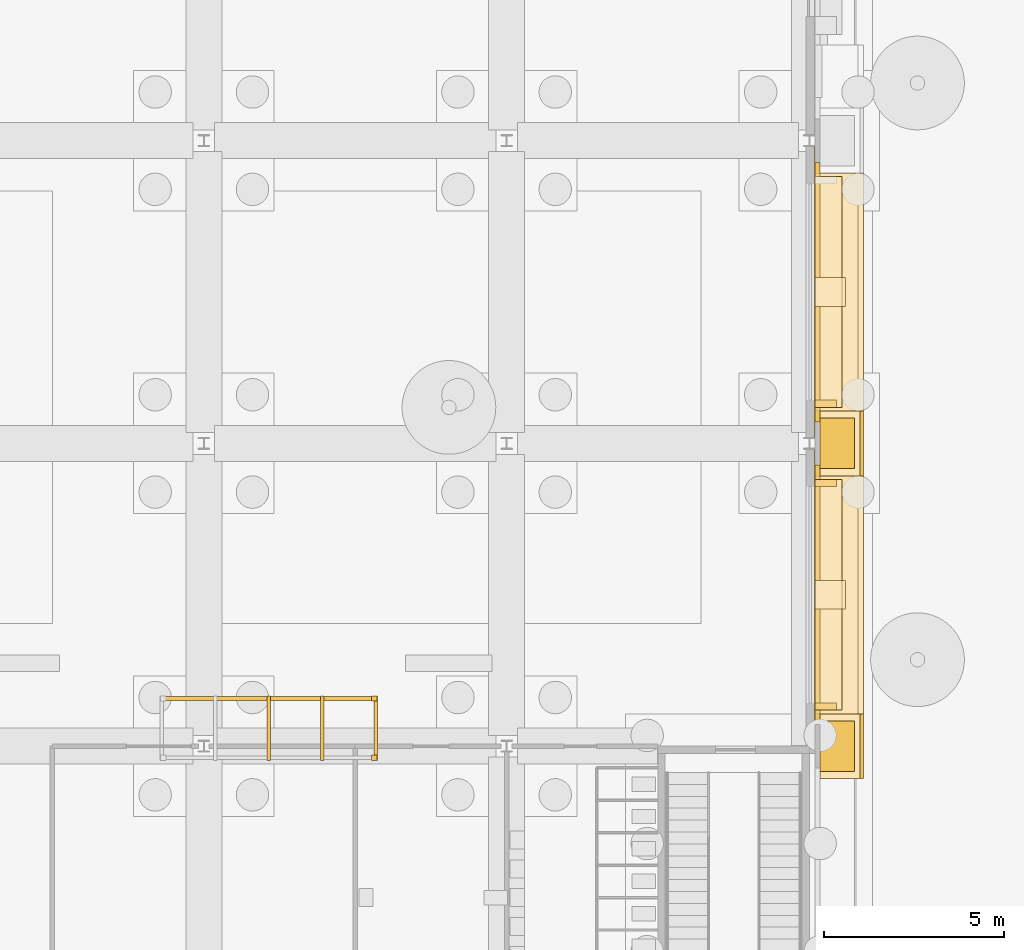
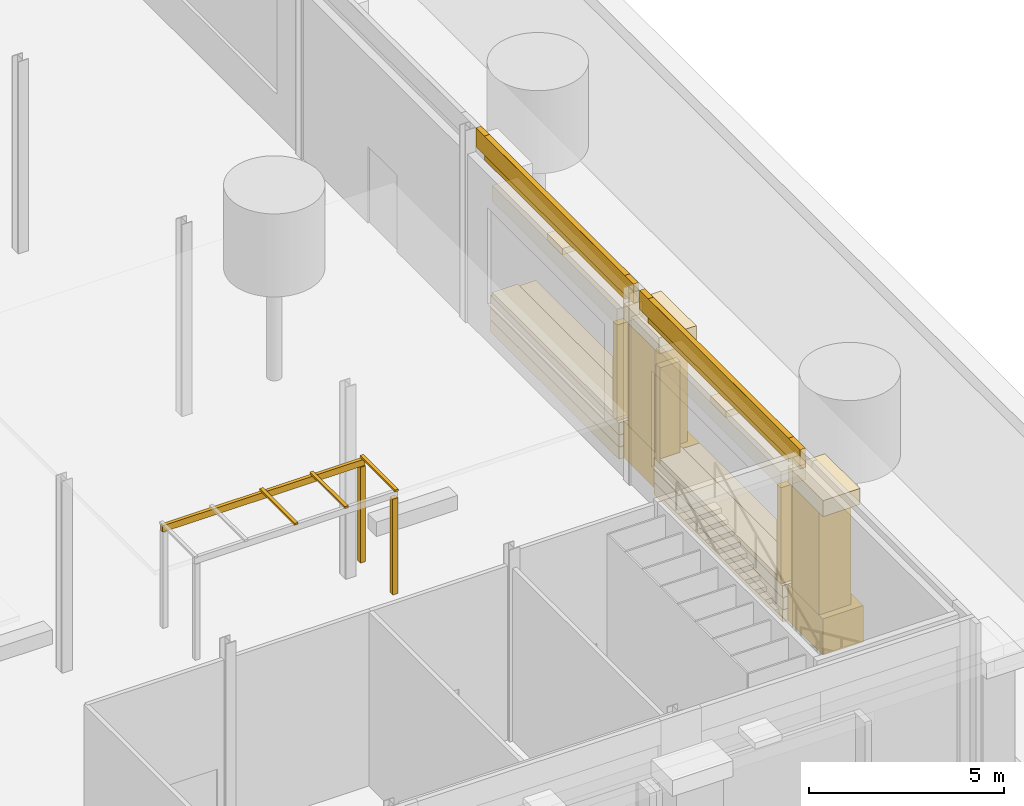
# One storey, part 164 of 222: 25 coverings, 6 shading devices.
"""IFC4 building model written with IfcOpenShell, lengths in metres."""

from ifc_helpers import new_model, si_unit, direction, frame, origin, origin_2d, place, context, subcontext, project, spatial, polyline, rectangle, outline, extrude, material, layer, layer_set, material_profile, profile_set, type_object, element, save


model = new_model("IFC4")

# Units and contexts
model_context = context("Model", 3, precision=1e-05, world=origin(), true_north=direction((0.0, 1.0)))
body_context = subcontext(model_context, "Body", "Model", "MODEL_VIEW")
ifc_project = project(units=[si_unit("LENGTHUNIT", "METRE"), si_unit("AREAUNIT", "SQUARE_METRE"), si_unit("VOLUMEUNIT", "CUBIC_METRE"), si_unit("PLANEANGLEUNIT", "RADIAN"), si_unit("MASSUNIT", "GRAM", prefix="KILO")], contexts=[model_context])

# Site, building, storey
site_placement = place(None, origin())
site = spatial("IfcSite", under=ifc_project, at=site_placement, CompositionType="ELEMENT")
building_placement = place(site_placement, origin())
building = spatial("IfcBuilding", under=site, at=building_placement, Name="Sava Quay Ferry Terminal", CompositionType="ELEMENT")
storey_placement = place(building_placement, origin())
storey = spatial("IfcBuildingStorey", under=building, at=storey_placement, Name="L00", CompositionType="ELEMENT", Elevation=0.0)

# Coverings
ifc_material_1 = material(Name="Red sandstone Vrsac", Category="masonry")
ifc_layer_1 = layer(ifc_material_1, 1.35009765625)
ifc_layer_set_1 = layer_set([ifc_layer_1], Name="Red sandstone Vrsac")
covering_type_1 = type_object("IfcCoveringType", Name="Giant order base course 1350", PredefinedType="MOLDING", material=ifc_layer_set_1)
covering_1_placement = place(storey_placement, frame((168.824951171875, 37.800048828125, 0.06005859375), z_axis=(0.0, 0.0, 1.0), x_axis=(1.0, 0.0, 0.0)))
element("IfcCovering", 1, at=covering_1_placement, inside=storey, type_object=covering_type_1, Name="Rusticated base course", PredefinedType="MOLDING", context=body_context, shape_type="SweptSolid", body=[
    extrude(rectangle(XDim=1.35009765625, YDim=6.60009765625, at=origin_2d()), origin(), (0.0, 0.0, 1.0), 0.3798828125),
])
covering_2_placement = place(storey_placement, frame((168.75, 37.800048828125, 0.43994140625), z_axis=(0.0, 0.0, 1.0), x_axis=(1.0, 0.0, 0.0)))
element("IfcCovering", 2, at=covering_2_placement, inside=storey, type_object=covering_type_1, Name="Rusticated base course", PredefinedType="MOLDING", context=body_context, shape_type="SweptSolid", body=[
    extrude(rectangle(XDim=1.199951171875, YDim=6.60009765625, at=origin_2d()), origin(), (0.0, 0.0, 1.0), 0.3798828125),
])
for number, where, z_axis, x_axis, name in (
    (3, (168.824951171875, 37.800048828125, 0.820068359375), (0.0, 0.0, 1.0), (1.0, 0.0, 0.0), "Rusticated base course"),
    (4, (168.824951171875, 46.199951171875, 0.06005859375), (0.0, 0.0, 1.0), (1.0, 0.0, 0.0), "Rusticated base course"),
):
    element("IfcCovering", number, at=place(storey_placement, frame(where, z_axis=z_axis, x_axis=x_axis)), inside=storey, type_object=covering_type_1, Name=name, PredefinedType="MOLDING", context=body_context, shape_type="SweptSolid", body=[
        extrude(rectangle(XDim=1.35009765625, YDim=6.60009765625, at=origin_2d()), origin(), (0.0, 0.0, 1.0), 0.3798828125),
    ])
covering_3_placement = place(storey_placement, frame((168.75, 46.199951171875, 0.43994140625), z_axis=(0.0, 0.0, 1.0), x_axis=(1.0, 0.0, 0.0)))
element("IfcCovering", 5, at=covering_3_placement, inside=storey, type_object=covering_type_1, Name="Rusticated base course", PredefinedType="MOLDING", context=body_context, shape_type="SweptSolid", body=[
    extrude(rectangle(XDim=1.199951171875, YDim=6.60009765625, at=origin_2d()), origin(), (0.0, 0.0, 1.0), 0.3798828125),
])
covering_4_placement = place(storey_placement, frame((168.824951171875, 46.199951171875, 0.820068359375), z_axis=(0.0, 0.0, 1.0), x_axis=(1.0, 0.0, 0.0)))
element("IfcCovering", 6, at=covering_4_placement, inside=storey, type_object=covering_type_1, Name="Rusticated base course", PredefinedType="MOLDING", context=body_context, shape_type="SweptSolid", body=[
    extrude(rectangle(XDim=1.35009765625, YDim=6.60009765625, at=origin_2d()), origin(), (0.0, 0.0, 1.0), 0.3798828125),
])
ifc_material_2 = material(Name="Limestone Mutalj", Category="masonry")
ifc_layer_2 = layer(ifc_material_2, 1.10009765625)
ifc_layer_set_2 = layer_set([ifc_layer_2], Name="Limestone Mutalj")
covering_type_2 = type_object("IfcCoveringType", Name="Giant order capital 1100", PredefinedType="MOLDING", material=ifc_layer_set_2)
for number, where, z_axis, x_axis, name in (
    (7, (168.85009765625, 33.60009765625, 4.39990234375), (0.0, 0.0, 1.0), (1.0, 0.0, 0.0), "Giant order capital"),
    (8, (168.85009765625, 42.0, 4.39990234375), (0.0, 0.0, 1.0), (1.0, 0.0, 0.0), "Giant order capital"),
):
    element("IfcCovering", number, at=place(storey_placement, frame(where, z_axis=z_axis, x_axis=x_axis)), inside=storey, type_object=covering_type_2, Name=name, PredefinedType="MOLDING", context=body_context, shape_type="SweptSolid", body=[
        extrude(rectangle(XDim=1.10009765625, YDim=1.800048828125, at=origin_2d()), origin(), (0.0, 0.0, 1.0), 0.5),
    ])
ifc_material_3 = material(Name="Red sandstone Vrsac", Category="masonry")
ifc_layer_3 = layer(ifc_material_3, 1.199951171875)
ifc_layer_set_3 = layer_set([ifc_layer_3], Name="Red sandstone Vrsac")
covering_type_3 = type_object("IfcCoveringType", Name="Giant order pier block 1200", PredefinedType="MOLDING", material=ifc_layer_set_3)
for number, where, z_axis, x_axis, name in (
    (9, (168.89990234375, 33.60009765625, 0.06005859375), (0.0, 0.0, 1.0), (1.0, 0.0, 0.0), "Giant order pier block"),
    (10, (168.89990234375, 42.0, 0.06005859375), (0.0, 0.0, 1.0), (1.0, 0.0, 0.0), "Giant order pier block"),
):
    element("IfcCovering", number, at=place(storey_placement, frame(where, z_axis=z_axis, x_axis=x_axis)), inside=storey, type_object=covering_type_3, Name=name, PredefinedType="MOLDING", context=body_context, shape_type="SweptSolid", body=[
        extrude(rectangle(XDim=1.199951171875, YDim=1.800048828125, at=origin_2d()), origin(), (0.0, 0.0, 1.0), 1.139892578125),
    ])
ifc_material_4 = material(Name="Limestone Mutalj", Category="masonry")
ifc_layer_4 = layer(ifc_material_4, 0.949951171875)
ifc_layer_set_4 = layer_set([ifc_layer_4], Name="Limestone Mutalj")
covering_type_4 = type_object("IfcCoveringType", Name="Giant order pilaster 950", PredefinedType="CLADDING", material=ifc_layer_set_4)
for number, where, z_axis, x_axis, name in (
    (11, (168.77490234375, 33.60009765625, 1.2001953125), (0.0, 0.0, 1.0), (1.0, 0.0, 0.0), "Giant order pilaster"),
    (12, (168.77490234375, 42.0, 1.2001953125), (0.0, 0.0, 1.0), (1.0, 0.0, 0.0), "Giant order pilaster"),
):
    element("IfcCovering", number, at=place(storey_placement, frame(where, z_axis=z_axis, x_axis=x_axis)), inside=storey, type_object=covering_type_4, Name=name, PredefinedType="CLADDING", context=body_context, shape_type="SweptSolid", body=[
        extrude(rectangle(XDim=0.949951171875, YDim=1.39990234375, at=origin_2d()), origin(), (0.0, 0.0, 1.0), 3.199951171875),
    ])
ifc_material_5 = material(Name="Limestone Mutalj", Category="masonry")
ifc_layer_5 = layer(ifc_material_5, 0.85009765625)
ifc_layer_set_5 = layer_set([ifc_layer_5], Name="Limestone Mutalj")
covering_type_5 = type_object("IfcCoveringType", Name="Keystone 850", PredefinedType="MOLDING", material=ifc_layer_set_5)
for number, where, z_axis, x_axis, name in (
    (13, (168.574951171875, 37.800048828125, 4.7001953125), (0.0, 0.0, 1.0), (1.0, 0.0, 0.0), "Keystone"),
    (14, (168.574951171875, 46.199951171875, 4.7001953125), (0.0, 0.0, 1.0), (1.0, 0.0, 0.0), "Keystone"),
):
    element("IfcCovering", number, at=place(storey_placement, frame(where, z_axis=z_axis, x_axis=x_axis)), inside=storey, type_object=covering_type_5, Name=name, PredefinedType="MOLDING", context=body_context, shape_type="SweptSolid", body=[
        extrude(rectangle(XDim=0.85009765625, YDim=0.800048828125, at=origin_2d()), origin(), (0.0, 0.0, 1.0), 0.199951171875),
    ])
ifc_material_6 = material(Name="Limestone Mutalj", Category="masonry")
ifc_layer_6 = layer(ifc_material_6, 0.14990234375)
ifc_layer_set_6 = layer_set([ifc_layer_6], Name="Limestone Mutalj")
covering_type_6 = type_object("IfcCoveringType", Name="Limestone string course 150", PredefinedType="CLADDING", material=ifc_layer_set_6)
covering_5_placement = place(storey_placement, frame((0.0, 0.0, 5.25)))
element("IfcCovering", 15, at=covering_5_placement, inside=storey, type_object=covering_type_6, Name="String course V-E", PredefinedType="CLADDING", context=body_context, shape_type="SweptSolid", body=[
    extrude(outline(polyline([(168.14990234375, 34.199951171875), (168.14990234375, 41.39990234375), (168.300048828125, 41.39990234375), (168.300048828125, 34.199951171875), (168.14990234375, 34.199951171875)])), origin(), (0.0, 0.0, 1.0), 0.75),
])
covering_6_placement = place(storey_placement, frame((0.0, 0.0, 5.25)))
element("IfcCovering", 16, at=covering_6_placement, inside=storey, type_object=covering_type_6, Name="String course V-E", PredefinedType="CLADDING", context=body_context, shape_type="SweptSolid", body=[
    extrude(outline(polyline([(168.14990234375, 42.60009765625), (168.14990234375, 49.800048828125), (168.300048828125, 49.800048828125), (168.300048828125, 42.60009765625), (168.14990234375, 42.60009765625)])), origin(), (0.0, 0.0, 1.0), 0.75),
])

# Shading devices
ifc_material_7 = material(Name="Glulam GL28h", Category="wood")
ifc_material_profile_1 = material_profile(ifc_material_7, rectangle(XDim=0.10009765625, YDim=0.199951171875, at=origin_2d()), Name="Pergola 100 x 200")
ifc_profile_set_1 = profile_set([ifc_material_profile_1], Name="Glulam GL28h")
shading_device_type_1 = type_object("IfcShadingDeviceType", Name="Pergola beam 100x200", PredefinedType="USERDEFINED", material=ifc_profile_set_1)
shading_device_placement = place(storey_placement, frame((150.0, 34.925048828125, 9.10009765625), z_axis=(1.0, 0.0, 0.0), x_axis=(0.0, 1.0, 0.0)))
element("IfcShadingDevice", 17, at=shading_device_placement, inside=storey, type_object=shading_device_type_1, Name="Pergola beam", ObjectType="PERGOLA BEAM", PredefinedType="USERDEFINED", context=body_context, shape_type="SweptSolid", body=[
    extrude(rectangle(XDim=0.10009765625, YDim=0.199951171875, at=origin_2d()), origin(), (0.0, 0.0, 1.0), 6.0),
])
ifc_material_8 = material(Name="Glulam GL28h", Category="wood")
ifc_material_profile_2 = material_profile(ifc_material_8, rectangle(XDim=0.14990234375, YDim=0.14990234375, at=origin_2d()), Name="Pergola 150 x 150")
ifc_profile_set_2 = profile_set([ifc_material_profile_2], Name="Glulam GL28h")
shading_device_type_2 = type_object("IfcShadingDeviceType", Name="Pergola post 150", PredefinedType="USERDEFINED", material=ifc_profile_set_2)
for number, where, z_axis, x_axis, name in (
    (18, (155.925048828125, 33.27490234375, 6.0), (0.0, 0.0, 1.0), (1.0, 0.0, 0.0), "Pergola post"),
    (19, (155.925048828125, 34.925048828125, 6.0), (0.0, 0.0, 1.0), (1.0, 0.0, 0.0), "Pergola post"),
):
    element("IfcShadingDevice", number, at=place(storey_placement, frame(where, z_axis=z_axis, x_axis=x_axis)), inside=storey, type_object=shading_device_type_2, Name=name, ObjectType="PERGOLA POST", PredefinedType="USERDEFINED", context=body_context, shape_type="SweptSolid", body=[
        extrude(rectangle(XDim=0.14990234375, YDim=0.14990234375, at=origin_2d()), origin(), (0.0, 0.0, 1.0), 3.0),
    ])
ifc_material_9 = material(Name="Glulam GL28h", Category="wood")
ifc_material_profile_3 = material_profile(ifc_material_9, rectangle(XDim=0.06005859375, YDim=0.10009765625, at=origin_2d()), Name="Pergola 60 x 100")
ifc_profile_set_3 = profile_set([ifc_material_profile_3], Name="Glulam GL28h")
shading_device_type_3 = type_object("IfcShadingDeviceType", Name="Pergola rafter 60x100", PredefinedType="USERDEFINED", material=ifc_profile_set_3)
for number, where, z_axis, x_axis, name in (
    (20, (153.0, 33.199951171875, 9.22998046875), (0.0, 1.0, 0.0), (0.0, 0.0, 1.0), "Pergola rafter"),
    (21, (154.485107421875, 33.199951171875, 9.22998046875), (0.0, 1.0, 0.0), (0.0, 0.0, 1.0), "Pergola rafter"),
    (22, (155.969970703125, 33.199951171875, 9.22998046875), (0.0, 1.0, 0.0), (0.0, 0.0, 1.0), "Pergola rafter"),
):
    element("IfcShadingDevice", number, at=place(storey_placement, frame(where, z_axis=z_axis, x_axis=x_axis)), inside=storey, type_object=shading_device_type_3, Name=name, ObjectType="PERGOLA RAFTER", PredefinedType="USERDEFINED", context=body_context, shape_type="SweptSolid", body=[
        extrude(rectangle(XDim=0.06005859375, YDim=0.10009765625, at=origin_2d()), origin(), (0.0, 0.0, 1.0), 1.800048828125),
    ])

# Coverings
ifc_material_10 = material(Name="Limestone Mutalj", Category="masonry")
ifc_layer_7 = layer(ifc_material_10, 0.60009765625)
ifc_layer_set_7 = layer_set([ifc_layer_7], Name="Limestone Mutalj")
covering_type_7 = type_object("IfcCoveringType", Name="Reveal jamb 600", PredefinedType="MOLDING", material=ifc_layer_set_7)
for number, where, z_axis, x_axis, name in (
    (23, (168.449951171875, 34.699951171875, 1.199951171875), (0.0, 0.0, 1.0), (1.0, 0.0, 0.0), "Reveal jamb"),
    (24, (168.449951171875, 40.89990234375, 1.199951171875), (0.0, 0.0, 1.0), (1.0, 0.0, 0.0), "Reveal jamb"),
    (25, (168.449951171875, 43.10009765625, 1.199951171875), (0.0, 0.0, 1.0), (1.0, 0.0, 0.0), "Reveal jamb"),
):
    element("IfcCovering", number, at=place(storey_placement, frame(where, z_axis=z_axis, x_axis=x_axis)), inside=storey, type_object=covering_type_7, Name=name, PredefinedType="MOLDING", context=body_context, shape_type="SweptSolid", body=[
        extrude(rectangle(XDim=0.60009765625, YDim=0.199951171875, at=origin_2d()), origin(), (0.0, 0.0, 1.0), 3.0),
    ])
ifc_material_11 = material(Name="Limestone Mutalj", Category="masonry")
ifc_layer_8 = layer(ifc_material_11, 0.75)
ifc_layer_set_8 = layer_set([ifc_layer_8], Name="Limestone Mutalj")
covering_type_8 = type_object("IfcCoveringType", Name="Reveal lintel 750", PredefinedType="MOLDING", material=ifc_layer_set_8)
for number, where, z_axis, x_axis, name in (
    (26, (168.52490234375, 37.800048828125, 4.199951171875), (0.0, 0.0, 1.0), (1.0, 0.0, 0.0), "Reveal lintel"),
    (27, (168.52490234375, 46.199951171875, 4.199951171875), (0.0, 0.0, 1.0), (1.0, 0.0, 0.0), "Reveal lintel"),
):
    element("IfcCovering", number, at=place(storey_placement, frame(where, z_axis=z_axis, x_axis=x_axis)), inside=storey, type_object=covering_type_8, Name=name, PredefinedType="MOLDING", context=body_context, shape_type="SweptSolid", body=[
        extrude(rectangle(XDim=0.75, YDim=6.39990234375, at=origin_2d()), origin(), (0.0, 0.0, 1.0), 0.5),
    ])
ifc_material_12 = material(Name="Limestone Mutalj", Category="masonry")
ifc_layer_9 = layer(ifc_material_12, 0.14990234375)
ifc_layer_set_9 = layer_set([ifc_layer_9], Name="Limestone Mutalj")
covering_type_9 = type_object("IfcCoveringType", Name="Slab edge fascia 150", PredefinedType="CLADDING", material=ifc_layer_set_9)
covering_7_placement = place(storey_placement, frame((0.0, 0.0, 5.39990234375)))
element("IfcCovering", 28, at=covering_7_placement, inside=storey, type_object=covering_type_9, Name="Slab edge fascia", PredefinedType="CLADDING", context=body_context, shape_type="SweptSolid", body=[
    extrude(outline(polyline([(168.14794921875, 41.840087890625), (168.14794921875, 33.60009765625), (168.298095703125, 33.60009765625), (168.298095703125, 41.840087890625), (168.14794921875, 41.840087890625)])), origin(), (0.0, 0.0, 1.0), 0.60009765625),
])
covering_8_placement = place(storey_placement, frame((0.0, 0.0, 5.39990234375)))
element("IfcCovering", 29, at=covering_8_placement, inside=storey, type_object=covering_type_9, Name="Slab edge fascia", PredefinedType="CLADDING", context=body_context, shape_type="SweptSolid", body=[
    extrude(outline(polyline([(168.14794921875, 50.239990234375), (168.14794921875, 42.159912109375), (168.298095703125, 42.159912109375), (168.298095703125, 50.239990234375), (168.14794921875, 50.239990234375)])), origin(), (0.0, 0.0, 1.0), 0.60009765625),
])
ifc_material_13 = material(Name="Limestone Mutalj", Category="masonry")
ifc_layer_10 = layer(ifc_material_13, 0.75)
ifc_layer_set_10 = layer_set([ifc_layer_10], Name="Limestone Mutalj")
covering_type_10 = type_object("IfcCoveringType", Name="Window sill ledge 750", PredefinedType="MOLDING", material=ifc_layer_set_10)
for number, where, z_axis, x_axis, name in (
    (30, (168.52490234375, 37.800048828125, 1.199951171875), (0.0, 0.0, 1.0), (1.0, 0.0, 0.0), "Window sill ledge"),
    (31, (168.52490234375, 46.199951171875, 1.199951171875), (0.0, 0.0, 1.0), (1.0, 0.0, 0.0), "Window sill ledge"),
):
    element("IfcCovering", number, at=place(storey_placement, frame(where, z_axis=z_axis, x_axis=x_axis)), inside=storey, type_object=covering_type_10, Name=name, PredefinedType="MOLDING", context=body_context, shape_type="SweptSolid", body=[
        extrude(rectangle(XDim=0.75, YDim=6.39990234375, at=origin_2d()), origin(), (0.0, 0.0, 1.0), 0.14990234375),
    ])

save(model, "model.ifc")
